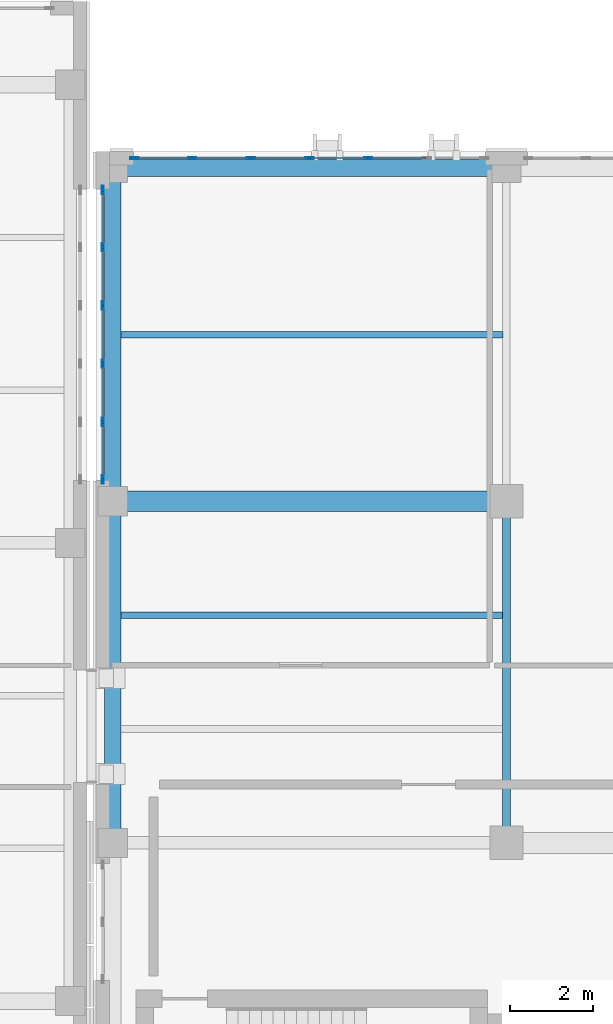
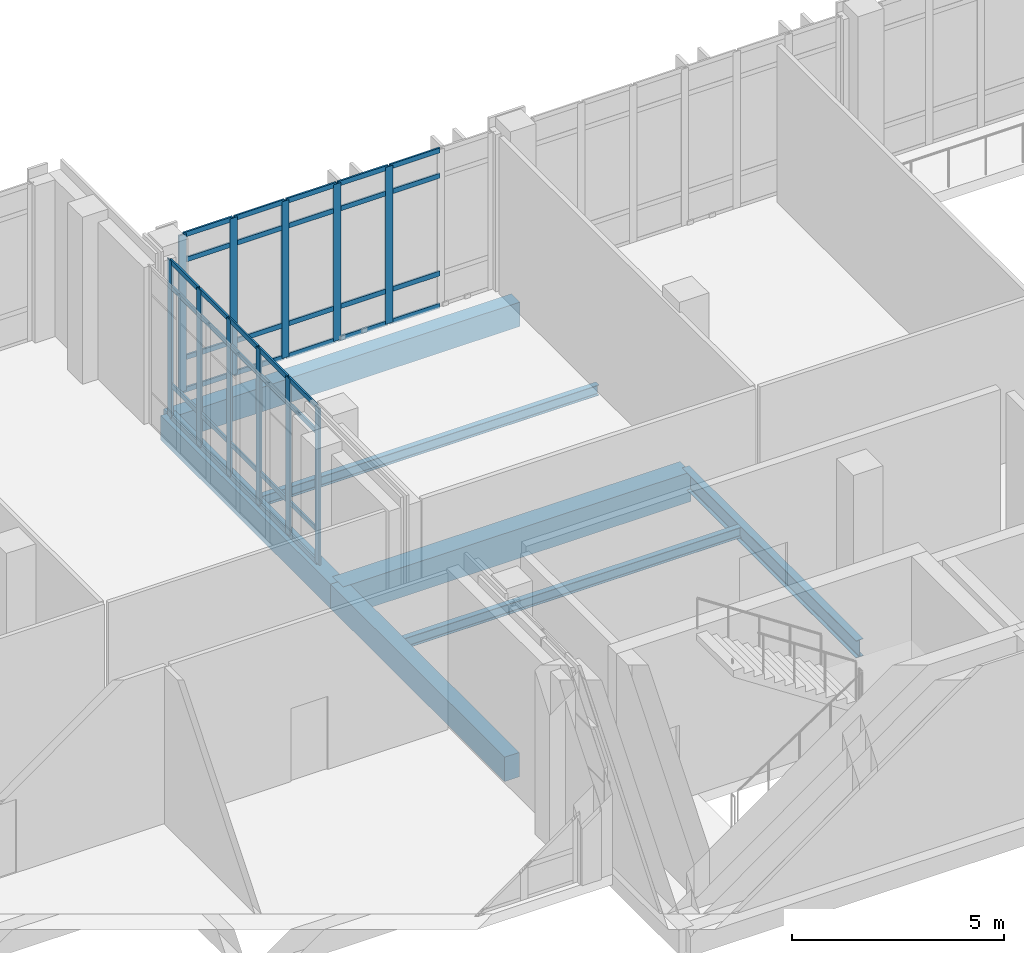
# One storey, part 13 of 189: 51 members, 7 beams, 2 elements without a shape of their own.
"""IFC4 building model written with IfcOpenShell, lengths in metres."""

from ifc_helpers import new_model, si_unit, direction, frame, origin, origin_2d, place, context, subcontext, project, spatial, rectangle, hollow_rectangle, i_section, extrude, material, layer, layer_set, material_profile, profile_set, type_object, element, aggregate, save


model = new_model("IFC4")

# Units and contexts
model_context = context("Model", 3, precision=1e-05, world=origin(), true_north=direction((0.0, 1.0)))
body_context = subcontext(model_context, "Body", "Model", "MODEL_VIEW")
ifc_project = project(units=[si_unit("LENGTHUNIT", "METRE"), si_unit("AREAUNIT", "SQUARE_METRE"), si_unit("VOLUMEUNIT", "CUBIC_METRE"), si_unit("PLANEANGLEUNIT", "RADIAN"), si_unit("MASSUNIT", "GRAM", prefix="KILO")], contexts=[model_context])

# Site, building, storey
site_placement = place(None, origin())
site = spatial("IfcSite", under=ifc_project, at=site_placement, CompositionType="ELEMENT")
building_placement = place(site_placement, origin())
building = spatial("IfcBuilding", under=site, at=building_placement, Name="Qalavern Law Courts", CompositionType="ELEMENT")
storey_placement = place(building_placement, frame((0.0, 0.0, 5.39990234375)))
storey = spatial("IfcBuildingStorey", under=building, at=storey_placement, Name="L01", CompositionType="ELEMENT", Elevation=5.39990234375)

# Curtain wall, members
ifc_material_1 = material(Name="Anodised aluminium and insulated glazing", Category="aluminium")
ifc_layer = layer(ifc_material_1, 0.18505859375)
ifc_layer_set = layer_set([ifc_layer], Name="Anodised aluminium and insulated glazing")
curtain_wall_type = type_object("IfcCurtainWallType", Name="ENV-CW-HALL", PredefinedType="USERDEFINED", material=ifc_layer_set)
curtain_wall_1_placement = place(storey_placement, origin())
curtain_wall_1 = element("IfcCurtainWall", 1, at=curtain_wall_1_placement, inside=storey, type_object=curtain_wall_type, Name="V2 unitised curtain wall L01 north 6", ObjectType="UNITISED CURTAIN WALL", PredefinedType="USERDEFINED")
ifc_material_2 = material(Name="Anodised aluminium", Category="aluminium")
ifc_material_profile_1 = material_profile(ifc_material_2, hollow_rectangle(XDim=0.048095703125, YDim=0.199951171875, WallThickness=0.00439453125, at=origin_2d()), Name="ALU MULLION 48x200")
ifc_profile_set_1 = profile_set([ifc_material_profile_1], Name="Anodised aluminium")
member_type_1 = type_object("IfcMemberType", Name="ENV-CWM-48x200", PredefinedType="MULLION", material=ifc_profile_set_1)
member_1_placement = place(storey_placement, frame((40.756103515625, 30.237548828125, 0.0), z_axis=(0.0, 0.0, 1.0), x_axis=(0.0, -1.0, 0.0)))
member_1 = element("IfcMember", 2, at=member_1_placement, type_object=member_type_1, Name="CW-02 mullion 3", PredefinedType="MULLION", context=body_context, shape_type="SweptSolid", body=[
    extrude(hollow_rectangle(XDim=0.048095703125, YDim=0.199951171875, WallThickness=0.00439453125, at=origin_2d()), origin(), (0.0, 0.0, 1.0), 4.510009765625),
])
member_2_placement = place(storey_placement, frame((39.34716796875, 30.237548828125, 0.0), z_axis=(0.0, 0.0, 1.0), x_axis=(0.0, -1.0, 0.0)))
member_2 = element("IfcMember", 3, at=member_2_placement, type_object=member_type_1, Name="CW-02 mullion 4", PredefinedType="MULLION", context=body_context, shape_type="SweptSolid", body=[
    extrude(hollow_rectangle(XDim=0.048095703125, YDim=0.199951171875, WallThickness=0.00439453125, at=origin_2d()), origin(), (0.0, 0.0, 1.0), 4.510009765625),
])
member_3_placement = place(storey_placement, frame((37.93798828125, 30.237548828125, 0.0), z_axis=(0.0, 0.0, 1.0), x_axis=(0.0, -1.0, 0.0)))
member_3 = element("IfcMember", 4, at=member_3_placement, type_object=member_type_1, Name="CW-02 mullion 5", PredefinedType="MULLION", context=body_context, shape_type="SweptSolid", body=[
    extrude(hollow_rectangle(XDim=0.048095703125, YDim=0.199951171875, WallThickness=0.00439453125, at=origin_2d()), origin(), (0.0, 0.0, 1.0), 4.510009765625),
])
member_4_placement = place(storey_placement, frame((36.529052734375, 30.237548828125, 0.0), z_axis=(0.0, 0.0, 1.0), x_axis=(0.0, -1.0, 0.0)))
member_4 = element("IfcMember", 5, at=member_4_placement, type_object=member_type_1, Name="CW-02 mullion 6", PredefinedType="MULLION", context=body_context, shape_type="SweptSolid", body=[
    extrude(hollow_rectangle(XDim=0.048095703125, YDim=0.199951171875, WallThickness=0.00439453125, at=origin_2d()), origin(), (0.0, 0.0, 1.0), 4.510009765625),
])
member_5_placement = place(storey_placement, frame((35.14404296875, 30.237548828125, 0.0), z_axis=(0.0, 0.0, 1.0), x_axis=(0.0, -1.0, 0.0)))
member_5 = element("IfcMember", 6, at=member_5_placement, type_object=member_type_1, Name="CW-02 mullion 7", PredefinedType="MULLION", context=body_context, shape_type="SweptSolid", body=[
    extrude(hollow_rectangle(XDim=0.048095703125, YDim=0.199951171875, WallThickness=0.00439453125, at=origin_2d()), origin(), (0.0, 0.0, 1.0), 4.510009765625),
])

curtain_wall_2_placement = place(storey_placement, origin())
curtain_wall_2 = element("IfcCurtainWall", 7, at=curtain_wall_2_placement, inside=storey, type_object=curtain_wall_type, Name="V2 unitised curtain wall L01 west 1", ObjectType="UNITISED CURTAIN WALL", PredefinedType="USERDEFINED")
member_6_placement = place(storey_placement, frame((34.382568359375, 29.47607421875, 0.0), z_axis=(0.0, 0.0, 1.0), x_axis=(1.0, 0.0, 0.0)))
member_6 = element("IfcMember", 8, at=member_6_placement, type_object=member_type_1, Name="CW-02 mullion 1", PredefinedType="MULLION", context=body_context, shape_type="SweptSolid", body=[
    extrude(hollow_rectangle(XDim=0.048095703125, YDim=0.199951171875, WallThickness=0.00439453125, at=origin_2d()), origin(), (0.0, 0.0, 1.0), 4.510009765625),
])
member_7_placement = place(storey_placement, frame((34.382568359375, 28.10009765625, 0.0), z_axis=(0.0, 0.0, 1.0), x_axis=(1.0, 0.0, 0.0)))
member_7 = element("IfcMember", 9, at=member_7_placement, type_object=member_type_1, Name="CW-02 mullion 2", PredefinedType="MULLION", context=body_context, shape_type="SweptSolid", body=[
    extrude(hollow_rectangle(XDim=0.048095703125, YDim=0.199951171875, WallThickness=0.00439453125, at=origin_2d()), origin(), (0.0, 0.0, 1.0), 4.510009765625),
])
member_8_placement = place(storey_placement, frame((34.382568359375, 26.699951171875, 0.0), z_axis=(0.0, 0.0, 1.0), x_axis=(1.0, 0.0, 0.0)))
member_8 = element("IfcMember", 10, at=member_8_placement, type_object=member_type_1, Name="CW-02 mullion 3", PredefinedType="MULLION", context=body_context, shape_type="SweptSolid", body=[
    extrude(hollow_rectangle(XDim=0.048095703125, YDim=0.199951171875, WallThickness=0.00439453125, at=origin_2d()), origin(), (0.0, 0.0, 1.0), 4.510009765625),
])
member_9_placement = place(storey_placement, frame((34.382568359375, 25.300048828125, 0.0), z_axis=(0.0, 0.0, 1.0), x_axis=(1.0, 0.0, 0.0)))
member_9 = element("IfcMember", 11, at=member_9_placement, type_object=member_type_1, Name="CW-02 mullion 4", PredefinedType="MULLION", context=body_context, shape_type="SweptSolid", body=[
    extrude(hollow_rectangle(XDim=0.048095703125, YDim=0.199951171875, WallThickness=0.00439453125, at=origin_2d()), origin(), (0.0, 0.0, 1.0), 4.510009765625),
])
member_10_placement = place(storey_placement, frame((34.382568359375, 23.89990234375, 0.0), z_axis=(0.0, 0.0, 1.0), x_axis=(1.0, 0.0, 0.0)))
member_10 = element("IfcMember", 12, at=member_10_placement, type_object=member_type_1, Name="CW-02 mullion 5", PredefinedType="MULLION", context=body_context, shape_type="SweptSolid", body=[
    extrude(hollow_rectangle(XDim=0.048095703125, YDim=0.199951171875, WallThickness=0.00439453125, at=origin_2d()), origin(), (0.0, 0.0, 1.0), 4.510009765625),
])
member_11_placement = place(storey_placement, frame((34.382568359375, 22.52392578125, 0.0), z_axis=(0.0, 0.0, 1.0), x_axis=(1.0, 0.0, 0.0)))
member_11 = element("IfcMember", 13, at=member_11_placement, type_object=member_type_1, Name="CW-02 mullion 6", PredefinedType="MULLION", context=body_context, shape_type="SweptSolid", body=[
    extrude(hollow_rectangle(XDim=0.048095703125, YDim=0.199951171875, WallThickness=0.00439453125, at=origin_2d()), origin(), (0.0, 0.0, 1.0), 4.510009765625),
])

# Member
ifc_material_profile_2 = material_profile(ifc_material_2, hollow_rectangle(XDim=0.048095703125, YDim=0.139892578125, WallThickness=0.00390625, at=origin_2d()), Name="ALU TRANSOM 48x140")
ifc_profile_set_2 = profile_set([ifc_material_profile_2], Name="Anodised aluminium")
member_type_2 = type_object("IfcMemberType", Name="ENV-CWT-48x140", PredefinedType="USERDEFINED", material=ifc_profile_set_2)
member_12_placement = place(storey_placement, frame((42.141357421875, 30.237548828125, 0.024169921875), z_axis=(-1.0, 0.0, 0.0), x_axis=(0.0, -1.0, 0.0)))
member_12 = element("IfcMember", 14, at=member_12_placement, type_object=member_type_2, Name="CW-02 transom 2.1", ObjectType="TRANSOM", PredefinedType="USERDEFINED", context=body_context, shape_type="SweptSolid", body=[
    extrude(hollow_rectangle(XDim=0.048095703125, YDim=0.139892578125, WallThickness=0.00390625, at=origin_2d()), origin(), (0.0, 0.0, 1.0), 1.361083984375),
])

member_13_placement = place(storey_placement, frame((42.141357421875, 30.237548828125, 0.9501953125), z_axis=(-1.0, 0.0, 0.0), x_axis=(0.0, -1.0, 0.0)))
member_13 = element("IfcMember", 15, at=member_13_placement, type_object=member_type_2, Name="CW-02 transom 2.2", ObjectType="TRANSOM", PredefinedType="USERDEFINED", context=body_context, shape_type="SweptSolid", body=[
    extrude(hollow_rectangle(XDim=0.048095703125, YDim=0.139892578125, WallThickness=0.00390625, at=origin_2d()), origin(), (0.0, 0.0, 1.0), 1.361083984375),
])

member_14_placement = place(storey_placement, frame((42.141357421875, 30.237548828125, 3.760009765625), z_axis=(-1.0, 0.0, 0.0), x_axis=(0.0, -1.0, 0.0)))
member_14 = element("IfcMember", 16, at=member_14_placement, type_object=member_type_2, Name="CW-02 transom 2.3", ObjectType="TRANSOM", PredefinedType="USERDEFINED", context=body_context, shape_type="SweptSolid", body=[
    extrude(hollow_rectangle(XDim=0.048095703125, YDim=0.139892578125, WallThickness=0.00390625, at=origin_2d()), origin(), (0.0, 0.0, 1.0), 1.361083984375),
])

member_15_placement = place(storey_placement, frame((42.141357421875, 30.237548828125, 4.486083984375), z_axis=(-1.0, 0.0, 0.0), x_axis=(0.0, -1.0, 0.0)))
member_15 = element("IfcMember", 17, at=member_15_placement, type_object=member_type_2, Name="CW-02 transom 2.4", ObjectType="TRANSOM", PredefinedType="USERDEFINED", context=body_context, shape_type="SweptSolid", body=[
    extrude(hollow_rectangle(XDim=0.048095703125, YDim=0.139892578125, WallThickness=0.00390625, at=origin_2d()), origin(), (0.0, 0.0, 1.0), 1.361083984375),
])

member_16_placement = place(storey_placement, frame((40.732177734375, 30.237548828125, 0.024169921875), z_axis=(-1.0, 0.0, 0.0), x_axis=(0.0, -1.0, 0.0)))
member_16 = element("IfcMember", 18, at=member_16_placement, type_object=member_type_2, Name="CW-02 transom 3.1", ObjectType="TRANSOM", PredefinedType="USERDEFINED", context=body_context, shape_type="SweptSolid", body=[
    extrude(hollow_rectangle(XDim=0.048095703125, YDim=0.139892578125, WallThickness=0.00390625, at=origin_2d()), origin(), (0.0, 0.0, 1.0), 1.361083984375),
])

member_17_placement = place(storey_placement, frame((40.732177734375, 30.237548828125, 0.9501953125), z_axis=(-1.0, 0.0, 0.0), x_axis=(0.0, -1.0, 0.0)))
member_17 = element("IfcMember", 19, at=member_17_placement, type_object=member_type_2, Name="CW-02 transom 3.2", ObjectType="TRANSOM", PredefinedType="USERDEFINED", context=body_context, shape_type="SweptSolid", body=[
    extrude(hollow_rectangle(XDim=0.048095703125, YDim=0.139892578125, WallThickness=0.00390625, at=origin_2d()), origin(), (0.0, 0.0, 1.0), 1.361083984375),
])

member_18_placement = place(storey_placement, frame((40.732177734375, 30.237548828125, 3.760009765625), z_axis=(-1.0, 0.0, 0.0), x_axis=(0.0, -1.0, 0.0)))
member_18 = element("IfcMember", 20, at=member_18_placement, type_object=member_type_2, Name="CW-02 transom 3.3", ObjectType="TRANSOM", PredefinedType="USERDEFINED", context=body_context, shape_type="SweptSolid", body=[
    extrude(hollow_rectangle(XDim=0.048095703125, YDim=0.139892578125, WallThickness=0.00390625, at=origin_2d()), origin(), (0.0, 0.0, 1.0), 1.361083984375),
])

member_19_placement = place(storey_placement, frame((40.732177734375, 30.237548828125, 4.486083984375), z_axis=(-1.0, 0.0, 0.0), x_axis=(0.0, -1.0, 0.0)))
member_19 = element("IfcMember", 21, at=member_19_placement, type_object=member_type_2, Name="CW-02 transom 3.4", ObjectType="TRANSOM", PredefinedType="USERDEFINED", context=body_context, shape_type="SweptSolid", body=[
    extrude(hollow_rectangle(XDim=0.048095703125, YDim=0.139892578125, WallThickness=0.00390625, at=origin_2d()), origin(), (0.0, 0.0, 1.0), 1.361083984375),
])

member_20_placement = place(storey_placement, frame((39.3232421875, 30.237548828125, 0.024169921875), z_axis=(-1.0, 0.0, 0.0), x_axis=(0.0, -1.0, 0.0)))
member_20 = element("IfcMember", 22, at=member_20_placement, type_object=member_type_2, Name="CW-02 transom 4.1", ObjectType="TRANSOM", PredefinedType="USERDEFINED", context=body_context, shape_type="SweptSolid", body=[
    extrude(hollow_rectangle(XDim=0.048095703125, YDim=0.139892578125, WallThickness=0.00390625, at=origin_2d()), origin(), (0.0, 0.0, 1.0), 1.361083984375),
])

member_21_placement = place(storey_placement, frame((39.3232421875, 30.237548828125, 0.9501953125), z_axis=(-1.0, 0.0, 0.0), x_axis=(0.0, -1.0, 0.0)))
member_21 = element("IfcMember", 23, at=member_21_placement, type_object=member_type_2, Name="CW-02 transom 4.2", ObjectType="TRANSOM", PredefinedType="USERDEFINED", context=body_context, shape_type="SweptSolid", body=[
    extrude(hollow_rectangle(XDim=0.048095703125, YDim=0.139892578125, WallThickness=0.00390625, at=origin_2d()), origin(), (0.0, 0.0, 1.0), 1.361083984375),
])

member_22_placement = place(storey_placement, frame((39.3232421875, 30.237548828125, 3.760009765625), z_axis=(-1.0, 0.0, 0.0), x_axis=(0.0, -1.0, 0.0)))
member_22 = element("IfcMember", 24, at=member_22_placement, type_object=member_type_2, Name="CW-02 transom 4.3", ObjectType="TRANSOM", PredefinedType="USERDEFINED", context=body_context, shape_type="SweptSolid", body=[
    extrude(hollow_rectangle(XDim=0.048095703125, YDim=0.139892578125, WallThickness=0.00390625, at=origin_2d()), origin(), (0.0, 0.0, 1.0), 1.361083984375),
])

member_23_placement = place(storey_placement, frame((39.3232421875, 30.237548828125, 4.486083984375), z_axis=(-1.0, 0.0, 0.0), x_axis=(0.0, -1.0, 0.0)))
member_23 = element("IfcMember", 25, at=member_23_placement, type_object=member_type_2, Name="CW-02 transom 4.4", ObjectType="TRANSOM", PredefinedType="USERDEFINED", context=body_context, shape_type="SweptSolid", body=[
    extrude(hollow_rectangle(XDim=0.048095703125, YDim=0.139892578125, WallThickness=0.00390625, at=origin_2d()), origin(), (0.0, 0.0, 1.0), 1.361083984375),
])

member_24_placement = place(storey_placement, frame((37.9140625, 30.237548828125, 0.024169921875), z_axis=(-1.0, 0.0, 0.0), x_axis=(0.0, -1.0, 0.0)))
member_24 = element("IfcMember", 26, at=member_24_placement, type_object=member_type_2, Name="CW-02 transom 5.1", ObjectType="TRANSOM", PredefinedType="USERDEFINED", context=body_context, shape_type="SweptSolid", body=[
    extrude(hollow_rectangle(XDim=0.048095703125, YDim=0.139892578125, WallThickness=0.00390625, at=origin_2d()), origin(), (0.0, 0.0, 1.0), 1.361083984375),
])

member_25_placement = place(storey_placement, frame((37.9140625, 30.237548828125, 0.9501953125), z_axis=(-1.0, 0.0, 0.0), x_axis=(0.0, -1.0, 0.0)))
member_25 = element("IfcMember", 27, at=member_25_placement, type_object=member_type_2, Name="CW-02 transom 5.2", ObjectType="TRANSOM", PredefinedType="USERDEFINED", context=body_context, shape_type="SweptSolid", body=[
    extrude(hollow_rectangle(XDim=0.048095703125, YDim=0.139892578125, WallThickness=0.00390625, at=origin_2d()), origin(), (0.0, 0.0, 1.0), 1.361083984375),
])

member_26_placement = place(storey_placement, frame((37.9140625, 30.237548828125, 3.760009765625), z_axis=(-1.0, 0.0, 0.0), x_axis=(0.0, -1.0, 0.0)))
member_26 = element("IfcMember", 28, at=member_26_placement, type_object=member_type_2, Name="CW-02 transom 5.3", ObjectType="TRANSOM", PredefinedType="USERDEFINED", context=body_context, shape_type="SweptSolid", body=[
    extrude(hollow_rectangle(XDim=0.048095703125, YDim=0.139892578125, WallThickness=0.00390625, at=origin_2d()), origin(), (0.0, 0.0, 1.0), 1.361083984375),
])

member_27_placement = place(storey_placement, frame((37.9140625, 30.237548828125, 4.486083984375), z_axis=(-1.0, 0.0, 0.0), x_axis=(0.0, -1.0, 0.0)))
member_27 = element("IfcMember", 29, at=member_27_placement, type_object=member_type_2, Name="CW-02 transom 5.4", ObjectType="TRANSOM", PredefinedType="USERDEFINED", context=body_context, shape_type="SweptSolid", body=[
    extrude(hollow_rectangle(XDim=0.048095703125, YDim=0.139892578125, WallThickness=0.00390625, at=origin_2d()), origin(), (0.0, 0.0, 1.0), 1.361083984375),
])

member_28_placement = place(storey_placement, frame((36.505126953125, 30.237548828125, 0.024169921875), z_axis=(-1.0, 0.0, 0.0), x_axis=(0.0, -1.0, 0.0)))
member_28 = element("IfcMember", 30, at=member_28_placement, type_object=member_type_2, Name="CW-02 transom 6.1", ObjectType="TRANSOM", PredefinedType="USERDEFINED", context=body_context, shape_type="SweptSolid", body=[
    extrude(hollow_rectangle(XDim=0.048095703125, YDim=0.139892578125, WallThickness=0.00390625, at=origin_2d()), origin(), (0.0, 0.0, 1.0), 1.337158203125),
])

member_29_placement = place(storey_placement, frame((36.505126953125, 30.237548828125, 0.9501953125), z_axis=(-1.0, 0.0, 0.0), x_axis=(0.0, -1.0, 0.0)))
member_29 = element("IfcMember", 31, at=member_29_placement, type_object=member_type_2, Name="CW-02 transom 6.2", ObjectType="TRANSOM", PredefinedType="USERDEFINED", context=body_context, shape_type="SweptSolid", body=[
    extrude(hollow_rectangle(XDim=0.048095703125, YDim=0.139892578125, WallThickness=0.00390625, at=origin_2d()), origin(), (0.0, 0.0, 1.0), 1.337158203125),
])

member_30_placement = place(storey_placement, frame((36.505126953125, 30.237548828125, 3.760009765625), z_axis=(-1.0, 0.0, 0.0), x_axis=(0.0, -1.0, 0.0)))
member_30 = element("IfcMember", 32, at=member_30_placement, type_object=member_type_2, Name="CW-02 transom 6.3", ObjectType="TRANSOM", PredefinedType="USERDEFINED", context=body_context, shape_type="SweptSolid", body=[
    extrude(hollow_rectangle(XDim=0.048095703125, YDim=0.139892578125, WallThickness=0.00390625, at=origin_2d()), origin(), (0.0, 0.0, 1.0), 1.337158203125),
])

member_31_placement = place(storey_placement, frame((36.505126953125, 30.237548828125, 4.486083984375), z_axis=(-1.0, 0.0, 0.0), x_axis=(0.0, -1.0, 0.0)))
member_31 = element("IfcMember", 33, at=member_31_placement, type_object=member_type_2, Name="CW-02 transom 6.4", ObjectType="TRANSOM", PredefinedType="USERDEFINED", context=body_context, shape_type="SweptSolid", body=[
    extrude(hollow_rectangle(XDim=0.048095703125, YDim=0.139892578125, WallThickness=0.00390625, at=origin_2d()), origin(), (0.0, 0.0, 1.0), 1.337158203125),
])

aggregate(curtain_wall_1, [member_1, member_2, member_3, member_4, member_5, member_12, member_13, member_14, member_15, member_16, member_17, member_18, member_19, member_20, member_21, member_22, member_23, member_24, member_25, member_26, member_27, member_28, member_29, member_30, member_31])

member_32_placement = place(storey_placement, frame((34.382568359375, 29.451904296875, 0.024169921875), z_axis=(0.0, -1.0, 0.0), x_axis=(1.0, 0.0, 0.0)))
member_32 = element("IfcMember", 34, at=member_32_placement, type_object=member_type_2, Name="CW-02 transom 1.1", ObjectType="TRANSOM", PredefinedType="USERDEFINED", context=body_context, shape_type="SweptSolid", body=[
    extrude(hollow_rectangle(XDim=0.048095703125, YDim=0.139892578125, WallThickness=0.00390625, at=origin_2d()), origin(), (0.0, 0.0, 1.0), 1.327880859375),
])

member_33_placement = place(storey_placement, frame((34.382568359375, 29.451904296875, 0.9501953125), z_axis=(0.0, -1.0, 0.0), x_axis=(1.0, 0.0, 0.0)))
member_33 = element("IfcMember", 35, at=member_33_placement, type_object=member_type_2, Name="CW-02 transom 1.2", ObjectType="TRANSOM", PredefinedType="USERDEFINED", context=body_context, shape_type="SweptSolid", body=[
    extrude(hollow_rectangle(XDim=0.048095703125, YDim=0.139892578125, WallThickness=0.00390625, at=origin_2d()), origin(), (0.0, 0.0, 1.0), 1.327880859375),
])

member_34_placement = place(storey_placement, frame((34.382568359375, 29.451904296875, 3.760009765625), z_axis=(0.0, -1.0, 0.0), x_axis=(1.0, 0.0, 0.0)))
member_34 = element("IfcMember", 36, at=member_34_placement, type_object=member_type_2, Name="CW-02 transom 1.3", ObjectType="TRANSOM", PredefinedType="USERDEFINED", context=body_context, shape_type="SweptSolid", body=[
    extrude(hollow_rectangle(XDim=0.048095703125, YDim=0.139892578125, WallThickness=0.00390625, at=origin_2d()), origin(), (0.0, 0.0, 1.0), 1.327880859375),
])

member_35_placement = place(storey_placement, frame((34.382568359375, 29.451904296875, 4.486083984375), z_axis=(0.0, -1.0, 0.0), x_axis=(1.0, 0.0, 0.0)))
member_35 = element("IfcMember", 37, at=member_35_placement, type_object=member_type_2, Name="CW-02 transom 1.4", ObjectType="TRANSOM", PredefinedType="USERDEFINED", context=body_context, shape_type="SweptSolid", body=[
    extrude(hollow_rectangle(XDim=0.048095703125, YDim=0.139892578125, WallThickness=0.00390625, at=origin_2d()), origin(), (0.0, 0.0, 1.0), 1.327880859375),
])

member_36_placement = place(storey_placement, frame((34.382568359375, 28.075927734375, 0.024169921875), z_axis=(0.0, -1.0, 0.0), x_axis=(1.0, 0.0, 0.0)))
member_36 = element("IfcMember", 38, at=member_36_placement, type_object=member_type_2, Name="CW-02 transom 2.1", ObjectType="TRANSOM", PredefinedType="USERDEFINED", context=body_context, shape_type="SweptSolid", body=[
    extrude(hollow_rectangle(XDim=0.048095703125, YDim=0.139892578125, WallThickness=0.00390625, at=origin_2d()), origin(), (0.0, 0.0, 1.0), 1.351806640625),
])

member_37_placement = place(storey_placement, frame((34.382568359375, 28.075927734375, 0.9501953125), z_axis=(0.0, -1.0, 0.0), x_axis=(1.0, 0.0, 0.0)))
member_37 = element("IfcMember", 39, at=member_37_placement, type_object=member_type_2, Name="CW-02 transom 2.2", ObjectType="TRANSOM", PredefinedType="USERDEFINED", context=body_context, shape_type="SweptSolid", body=[
    extrude(hollow_rectangle(XDim=0.048095703125, YDim=0.139892578125, WallThickness=0.00390625, at=origin_2d()), origin(), (0.0, 0.0, 1.0), 1.351806640625),
])

member_38_placement = place(storey_placement, frame((34.382568359375, 28.075927734375, 3.760009765625), z_axis=(0.0, -1.0, 0.0), x_axis=(1.0, 0.0, 0.0)))
member_38 = element("IfcMember", 40, at=member_38_placement, type_object=member_type_2, Name="CW-02 transom 2.3", ObjectType="TRANSOM", PredefinedType="USERDEFINED", context=body_context, shape_type="SweptSolid", body=[
    extrude(hollow_rectangle(XDim=0.048095703125, YDim=0.139892578125, WallThickness=0.00390625, at=origin_2d()), origin(), (0.0, 0.0, 1.0), 1.351806640625),
])

member_39_placement = place(storey_placement, frame((34.382568359375, 28.075927734375, 4.486083984375), z_axis=(0.0, -1.0, 0.0), x_axis=(1.0, 0.0, 0.0)))
member_39 = element("IfcMember", 41, at=member_39_placement, type_object=member_type_2, Name="CW-02 transom 2.4", ObjectType="TRANSOM", PredefinedType="USERDEFINED", context=body_context, shape_type="SweptSolid", body=[
    extrude(hollow_rectangle(XDim=0.048095703125, YDim=0.139892578125, WallThickness=0.00390625, at=origin_2d()), origin(), (0.0, 0.0, 1.0), 1.351806640625),
])

member_40_placement = place(storey_placement, frame((34.382568359375, 26.676025390625, 0.024169921875), z_axis=(0.0, -1.0, 0.0), x_axis=(1.0, 0.0, 0.0)))
member_40 = element("IfcMember", 42, at=member_40_placement, type_object=member_type_2, Name="CW-02 transom 3.1", ObjectType="TRANSOM", PredefinedType="USERDEFINED", context=body_context, shape_type="SweptSolid", body=[
    extrude(hollow_rectangle(XDim=0.048095703125, YDim=0.139892578125, WallThickness=0.00390625, at=origin_2d()), origin(), (0.0, 0.0, 1.0), 1.35205078125),
])

member_41_placement = place(storey_placement, frame((34.382568359375, 26.676025390625, 0.9501953125), z_axis=(0.0, -1.0, 0.0), x_axis=(1.0, 0.0, 0.0)))
member_41 = element("IfcMember", 43, at=member_41_placement, type_object=member_type_2, Name="CW-02 transom 3.2", ObjectType="TRANSOM", PredefinedType="USERDEFINED", context=body_context, shape_type="SweptSolid", body=[
    extrude(hollow_rectangle(XDim=0.048095703125, YDim=0.139892578125, WallThickness=0.00390625, at=origin_2d()), origin(), (0.0, 0.0, 1.0), 1.35205078125),
])

member_42_placement = place(storey_placement, frame((34.382568359375, 26.676025390625, 3.760009765625), z_axis=(0.0, -1.0, 0.0), x_axis=(1.0, 0.0, 0.0)))
member_42 = element("IfcMember", 44, at=member_42_placement, type_object=member_type_2, Name="CW-02 transom 3.3", ObjectType="TRANSOM", PredefinedType="USERDEFINED", context=body_context, shape_type="SweptSolid", body=[
    extrude(hollow_rectangle(XDim=0.048095703125, YDim=0.139892578125, WallThickness=0.00390625, at=origin_2d()), origin(), (0.0, 0.0, 1.0), 1.35205078125),
])

member_43_placement = place(storey_placement, frame((34.382568359375, 26.676025390625, 4.486083984375), z_axis=(0.0, -1.0, 0.0), x_axis=(1.0, 0.0, 0.0)))
member_43 = element("IfcMember", 45, at=member_43_placement, type_object=member_type_2, Name="CW-02 transom 3.4", ObjectType="TRANSOM", PredefinedType="USERDEFINED", context=body_context, shape_type="SweptSolid", body=[
    extrude(hollow_rectangle(XDim=0.048095703125, YDim=0.139892578125, WallThickness=0.00390625, at=origin_2d()), origin(), (0.0, 0.0, 1.0), 1.35205078125),
])

member_44_placement = place(storey_placement, frame((34.382568359375, 25.27587890625, 0.024169921875), z_axis=(0.0, -1.0, 0.0), x_axis=(1.0, 0.0, 0.0)))
member_44 = element("IfcMember", 46, at=member_44_placement, type_object=member_type_2, Name="CW-02 transom 4.1", ObjectType="TRANSOM", PredefinedType="USERDEFINED", context=body_context, shape_type="SweptSolid", body=[
    extrude(hollow_rectangle(XDim=0.048095703125, YDim=0.139892578125, WallThickness=0.00390625, at=origin_2d()), origin(), (0.0, 0.0, 1.0), 1.351806640625),
])

member_45_placement = place(storey_placement, frame((34.382568359375, 25.27587890625, 0.9501953125), z_axis=(0.0, -1.0, 0.0), x_axis=(1.0, 0.0, 0.0)))
member_45 = element("IfcMember", 47, at=member_45_placement, type_object=member_type_2, Name="CW-02 transom 4.2", ObjectType="TRANSOM", PredefinedType="USERDEFINED", context=body_context, shape_type="SweptSolid", body=[
    extrude(hollow_rectangle(XDim=0.048095703125, YDim=0.139892578125, WallThickness=0.00390625, at=origin_2d()), origin(), (0.0, 0.0, 1.0), 1.351806640625),
])

member_46_placement = place(storey_placement, frame((34.382568359375, 25.27587890625, 3.760009765625), z_axis=(0.0, -1.0, 0.0), x_axis=(1.0, 0.0, 0.0)))
member_46 = element("IfcMember", 48, at=member_46_placement, type_object=member_type_2, Name="CW-02 transom 4.3", ObjectType="TRANSOM", PredefinedType="USERDEFINED", context=body_context, shape_type="SweptSolid", body=[
    extrude(hollow_rectangle(XDim=0.048095703125, YDim=0.139892578125, WallThickness=0.00390625, at=origin_2d()), origin(), (0.0, 0.0, 1.0), 1.351806640625),
])

member_47_placement = place(storey_placement, frame((34.382568359375, 25.27587890625, 4.486083984375), z_axis=(0.0, -1.0, 0.0), x_axis=(1.0, 0.0, 0.0)))
member_47 = element("IfcMember", 49, at=member_47_placement, type_object=member_type_2, Name="CW-02 transom 4.4", ObjectType="TRANSOM", PredefinedType="USERDEFINED", context=body_context, shape_type="SweptSolid", body=[
    extrude(hollow_rectangle(XDim=0.048095703125, YDim=0.139892578125, WallThickness=0.00390625, at=origin_2d()), origin(), (0.0, 0.0, 1.0), 1.351806640625),
])

member_48_placement = place(storey_placement, frame((34.382568359375, 23.8759765625, 0.024169921875), z_axis=(0.0, -1.0, 0.0), x_axis=(1.0, 0.0, 0.0)))
member_48 = element("IfcMember", 50, at=member_48_placement, type_object=member_type_2, Name="CW-02 transom 5.1", ObjectType="TRANSOM", PredefinedType="USERDEFINED", context=body_context, shape_type="SweptSolid", body=[
    extrude(hollow_rectangle(XDim=0.048095703125, YDim=0.139892578125, WallThickness=0.00390625, at=origin_2d()), origin(), (0.0, 0.0, 1.0), 1.327880859375),
])

member_49_placement = place(storey_placement, frame((34.382568359375, 23.8759765625, 0.9501953125), z_axis=(0.0, -1.0, 0.0), x_axis=(1.0, 0.0, 0.0)))
member_49 = element("IfcMember", 51, at=member_49_placement, type_object=member_type_2, Name="CW-02 transom 5.2", ObjectType="TRANSOM", PredefinedType="USERDEFINED", context=body_context, shape_type="SweptSolid", body=[
    extrude(hollow_rectangle(XDim=0.048095703125, YDim=0.139892578125, WallThickness=0.00390625, at=origin_2d()), origin(), (0.0, 0.0, 1.0), 1.327880859375),
])

member_50_placement = place(storey_placement, frame((34.382568359375, 23.8759765625, 3.760009765625), z_axis=(0.0, -1.0, 0.0), x_axis=(1.0, 0.0, 0.0)))
member_50 = element("IfcMember", 52, at=member_50_placement, type_object=member_type_2, Name="CW-02 transom 5.3", ObjectType="TRANSOM", PredefinedType="USERDEFINED", context=body_context, shape_type="SweptSolid", body=[
    extrude(hollow_rectangle(XDim=0.048095703125, YDim=0.139892578125, WallThickness=0.00390625, at=origin_2d()), origin(), (0.0, 0.0, 1.0), 1.327880859375),
])

member_51_placement = place(storey_placement, frame((34.382568359375, 23.8759765625, 4.486083984375), z_axis=(0.0, -1.0, 0.0), x_axis=(1.0, 0.0, 0.0)))
member_51 = element("IfcMember", 53, at=member_51_placement, type_object=member_type_2, Name="CW-02 transom 5.4", ObjectType="TRANSOM", PredefinedType="USERDEFINED", context=body_context, shape_type="SweptSolid", body=[
    extrude(hollow_rectangle(XDim=0.048095703125, YDim=0.139892578125, WallThickness=0.00390625, at=origin_2d()), origin(), (0.0, 0.0, 1.0), 1.327880859375),
])

aggregate(curtain_wall_2, [member_6, member_7, member_8, member_9, member_10, member_11, member_32, member_33, member_34, member_35, member_36, member_37, member_38, member_39, member_40, member_41, member_42, member_43, member_44, member_45, member_46, member_47, member_48, member_49, member_50, member_51])

# Beams
ifc_material_3 = material(Name="Steel S355", Category="steel")
ifc_material_profile_3 = material_profile(ifc_material_3, i_section(OverallWidth=0.199951171875, OverallDepth=0.5, WebThickness=0.01025390625, FlangeThickness=0.01611328125, FilletRadius=0.02099609375, at=origin_2d()), Name="IPE 500")
ifc_profile_set_3 = profile_set([ifc_material_profile_3], Name="Steel S355")
beam_type_1 = type_object("IfcBeamType", Name="STR-BM-IPE500", PredefinedType="BEAM", material=ifc_profile_set_3)
beam_1_placement = place(storey_placement, frame((44.07421875, 13.800048828125, -0.5498046875), z_axis=(0.0, 1.0, 0.0), x_axis=(-1.0, 0.0, 0.0)))
element("IfcBeam", 54, at=beam_1_placement, inside=storey, type_object=beam_type_1, Name="V2 Y-beam 2-2 L01", PredefinedType="BEAM", context=body_context, shape_type="SweptSolid", body=[
    extrude(i_section(OverallWidth=0.199951171875, OverallDepth=0.5, WebThickness=0.01025390625, FlangeThickness=0.01611328125, FilletRadius=0.02099609375, at=origin_2d()), origin(), (0.0, 0.0, 1.0), 8.199951171875),
])
ifc_material_4 = material(Name="Concrete C40/50", Category="concrete")
ifc_material_profile_4 = material_profile(ifc_material_4, rectangle(XDim=0.5, YDim=0.85009765625, at=origin_2d()), Name="RC 500x850")
ifc_profile_set_4 = profile_set([ifc_material_profile_4], Name="Concrete C40/50")
beam_type_2 = type_object("IfcBeamType", Name="STR-BM-RC500x850", PredefinedType="BEAM", material=ifc_profile_set_4)
beam_2_placement = place(storey_placement, frame((34.6201171875, 22.0, -0.724853515625), z_axis=(1.0, 0.0, 0.0), x_axis=(0.0, 1.0, 0.0)))
element("IfcBeam", 55, at=beam_2_placement, inside=storey, type_object=beam_type_2, Name="V2 X-beam 3-1 L01", PredefinedType="BEAM", context=body_context, shape_type="SweptSolid", body=[
    extrude(rectangle(XDim=0.5, YDim=0.85009765625, at=origin_2d()), origin(), (0.0, 0.0, 1.0), 9.4541015625),
])
ifc_material_profile_5 = material_profile(ifc_material_3, i_section(OverallWidth=0.14990234375, OverallDepth=0.300048828125, WebThickness=0.007080078125, FlangeThickness=0.0107421875, FilletRadius=0.014892578125, at=origin_2d()), Name="IPE 300")
ifc_profile_set_5 = profile_set([ifc_material_profile_5], Name="Steel S355")
beam_type_3 = type_object("IfcBeamType", Name="STR-JST-IPE300", PredefinedType="JOIST", material=ifc_profile_set_5)
beam_3_placement = place(storey_placement, frame((34.818115234375, 19.2666015625, -0.449951171875), z_axis=(1.0, 0.0, 0.0), x_axis=(0.0, 1.0, 0.0)))
element("IfcBeam", 56, at=beam_3_placement, inside=storey, type_object=beam_type_3, Name="V2 secondary joist 1.2.2 L01", PredefinedType="JOIST", context=body_context, shape_type="SweptSolid", body=[
    extrude(i_section(OverallWidth=0.14990234375, OverallDepth=0.300048828125, WebThickness=0.007080078125, FlangeThickness=0.0107421875, FilletRadius=0.014892578125, at=origin_2d()), origin(), (0.0, 0.0, 1.0), 9.158203125),
])
beam_4_placement = place(storey_placement, frame((34.818115234375, 26.0, -0.449951171875), z_axis=(1.0, 0.0, 0.0), x_axis=(0.0, 1.0, 0.0)))
element("IfcBeam", 57, at=beam_4_placement, inside=storey, type_object=beam_type_3, Name="V2 secondary joist 1.3.1 L01", PredefinedType="JOIST", context=body_context, shape_type="SweptSolid", body=[
    extrude(i_section(OverallWidth=0.14990234375, OverallDepth=0.300048828125, WebThickness=0.007080078125, FlangeThickness=0.0107421875, FilletRadius=0.014892578125, at=origin_2d()), origin(), (0.0, 0.0, 1.0), 9.168212890625),
])
ifc_material_profile_6 = material_profile(ifc_material_4, rectangle(XDim=0.39990234375, YDim=0.699951171875, at=origin_2d()), Name="RC 400x700")
ifc_profile_set_6 = profile_set([ifc_material_profile_6], Name="Concrete C40/50")
beam_type_4 = type_object("IfcBeamType", Name="STR-SP-RC400x700", PredefinedType="SPANDREL", material=ifc_profile_set_6)
beam_5_placement = place(storey_placement, frame((34.6201171875, 30.0, -0.64990234375), z_axis=(1.0, 0.0, 0.0), x_axis=(0.0, 1.0, 0.0)))
element("IfcBeam", 58, at=beam_5_placement, inside=storey, type_object=beam_type_4, Name="V2 X-beam 4-1 L01", PredefinedType="SPANDREL", context=body_context, shape_type="SweptSolid", body=[
    extrude(rectangle(XDim=0.39990234375, YDim=0.699951171875, at=origin_2d()), origin(), (0.0, 0.0, 1.0), 9.4541015625),
])
beam_6_placement = place(storey_placement, frame((34.6201171875, 13.800048828125, -0.64990234375), z_axis=(0.0, 1.0, 0.0), x_axis=(-1.0, 0.0, 0.0)))
element("IfcBeam", 59, at=beam_6_placement, inside=storey, type_object=beam_type_4, Name="V2 Y-beam 1-2 L01", PredefinedType="SPANDREL", context=body_context, shape_type="SweptSolid", body=[
    extrude(rectangle(XDim=0.39990234375, YDim=0.699951171875, at=origin_2d()), origin(), (0.0, 0.0, 1.0), 8.199951171875),
])
beam_7_placement = place(storey_placement, frame((34.6201171875, 22.0, -0.64990234375), z_axis=(0.0, 1.0, 0.0), x_axis=(-1.0, 0.0, 0.0)))
element("IfcBeam", 60, at=beam_7_placement, inside=storey, type_object=beam_type_4, Name="V2 Y-beam 1-3 L01", PredefinedType="SPANDREL", context=body_context, shape_type="SweptSolid", body=[
    extrude(rectangle(XDim=0.39990234375, YDim=0.699951171875, at=origin_2d()), origin(), (0.0, 0.0, 1.0), 8.0),
])

save(model, "model.ifc")
